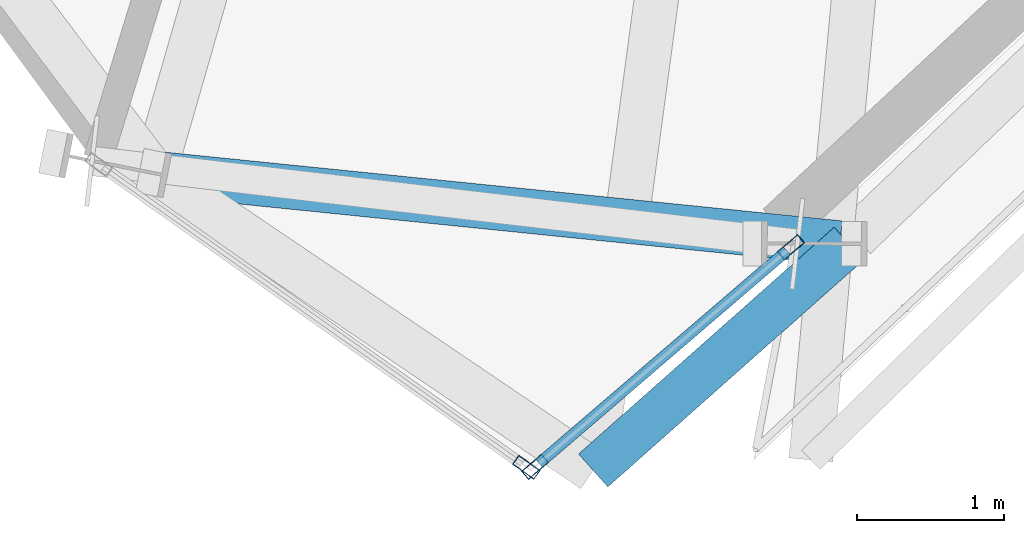
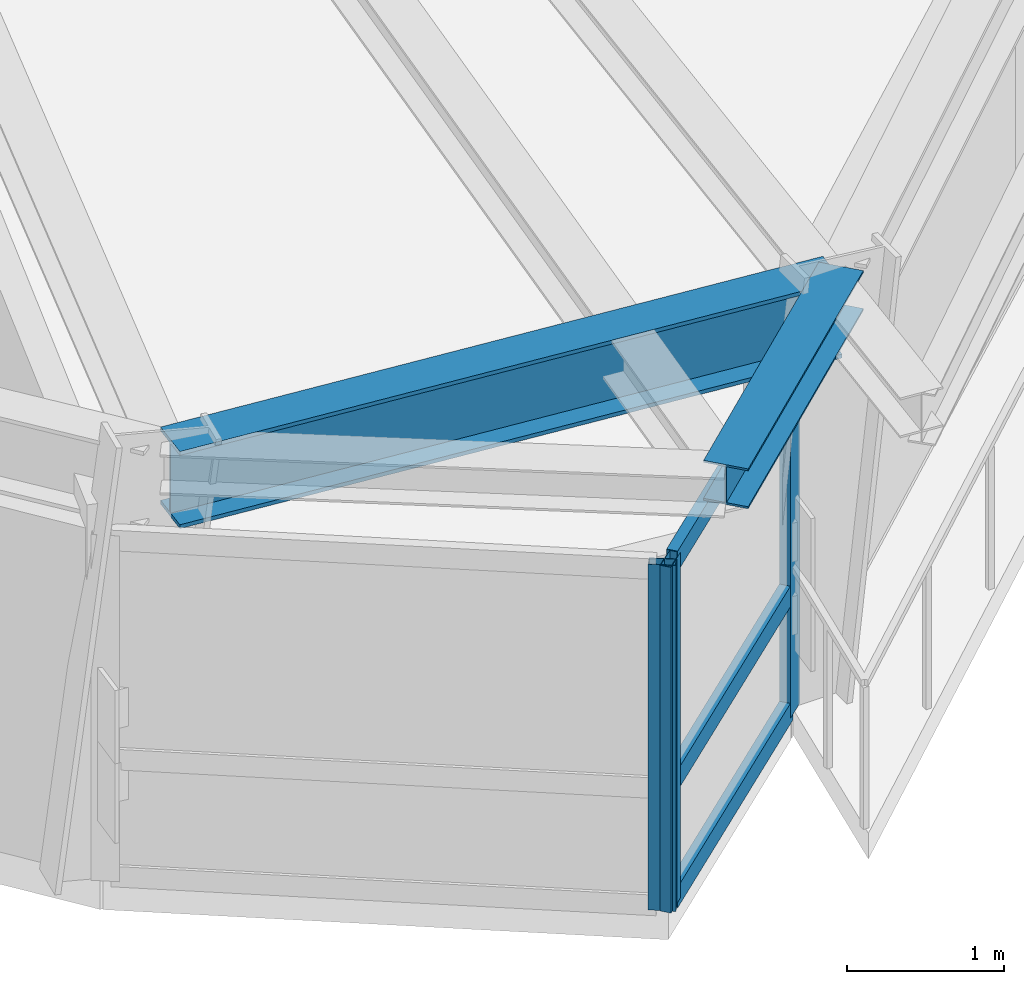
# One storey, part 4 of 15: 6 members, 2 beams, 2 elements without a shape of their own.
"""IFC4 building model written with IfcOpenShell, lengths in metres."""

from ifc_helpers import new_model, si_unit, direction, frame, origin, origin_2d, place, context, subcontext, project, spatial, hollow_rectangle, i_section, extrude, source, transform, mapped, material, material_profile, profile_set, type_object, element, aggregate, save


model = new_model("IFC4")

# Units and contexts
model_context = context("Model", 3, precision=1e-05, world=origin(), true_north=direction((0.0, 1.0)))
body_context = subcontext(model_context, "Body", "Model", "MODEL_VIEW")
ifc_project = project(units=[si_unit("LENGTHUNIT", "METRE"), si_unit("AREAUNIT", "SQUARE_METRE"), si_unit("VOLUMEUNIT", "CUBIC_METRE"), si_unit("PLANEANGLEUNIT", "RADIAN"), si_unit("MASSUNIT", "GRAM", prefix="KILO")], contexts=[model_context])

# Site, building, storey
site_placement = place(None, origin())
site = spatial("IfcSite", under=ifc_project, at=site_placement, CompositionType="ELEMENT")
building_placement = place(site_placement, origin())
building = spatial("IfcBuilding", under=site, at=building_placement, Name="Olszyna Solenne Hotel", CompositionType="ELEMENT")
storey_placement = place(building_placement, frame((0.0, 0.0, 146.60009765625)))
storey = spatial("IfcBuildingStorey", under=building, at=storey_placement, Name="L38", CompositionType="ELEMENT", Elevation=146.60009765625)

# Beams
ifc_material_1 = material(Name="Steel S355J2", Category="steel")
ifc_material_profile_1 = material_profile(ifc_material_1, i_section(OverallWidth=0.300048828125, OverallDepth=0.60009765625, WebThickness=0.015380859375, FlangeThickness=0.030029296875, at=origin_2d()), Name="HEB 600", Category="load-bearing")
ifc_profile_set_1 = profile_set([ifc_material_profile_1], Name="Steel S355J2")
beam_type_1 = type_object("IfcBeamType", Name="BM-S2", PredefinedType="BEAM", material=ifc_profile_set_1)
shared_shape_1 = source(origin(), body_context, "Body", "SweptSolid", [
    extrude(i_section(OverallWidth=0.300048828125, OverallDepth=0.60009765625, WebThickness=0.015380859375, FlangeThickness=0.030029296875, at=origin_2d()), origin(), (0.0, 0.0, 1.0), 4.63134765625),
])
beam_1_placement = place(storey_placement, frame((31.212890625, 2.81640625, 3.0), z_axis=(0.994886269191, -0.101001541449, 0.0), x_axis=(0.101001541449, 0.994886269191, 0.0)))
element("IfcBeam", 1, at=beam_1_placement, inside=storey, type_object=beam_type_1, Name="Perimeter spandrel beam BM-S2 B-L38-1134", PredefinedType="BEAM", context=body_context, shape_type="MappedRepresentation", body=[
    mapped(shared_shape_1, transform((0.0, 0.0, 0.0), x_axis=(1.0, 0.0, 0.0), y_axis=(0.0, 1.0, 0.0), z_axis=(0.0, 0.0, 1.0), scale=1.0)),
])
ifc_material_profile_2 = material_profile(ifc_material_1, i_section(OverallWidth=0.300048828125, OverallDepth=0.31005859375, WebThickness=0.009033203125, FlangeThickness=0.015380859375, at=origin_2d()), Name="HEA 320", Category="load-bearing")
ifc_profile_set_2 = profile_set([ifc_material_profile_2], Name="Steel S355J2")
beam_type_2 = type_object("IfcBeamType", Name="BM-G3", PredefinedType="BEAM", material=ifc_profile_set_2)
shared_shape_2 = source(origin(), body_context, "Body", "SweptSolid", [
    extrude(i_section(OverallWidth=0.300048828125, OverallDepth=0.31005859375, WebThickness=0.009033203125, FlangeThickness=0.015380859375, at=origin_2d()), origin(), (0.0, 0.0, 1.0), 2.32470703125),
])
beam_2_placement = place(storey_placement, frame((35.880126953125, 2.342529296875, 3.14501953125), z_axis=(-0.748162084796, -0.663516009509, 0.0), x_axis=(0.663516009509, -0.748162084796, 0.0)))
element("IfcBeam", 2, at=beam_2_placement, inside=storey, type_object=beam_type_2, Name="Prism side edge beam BM-G3 B-L38-1148", PredefinedType="BEAM", context=body_context, shape_type="MappedRepresentation", body=[
    mapped(shared_shape_2, transform((0.0, 0.0, 0.0), x_axis=(1.0, 0.0, 0.0), y_axis=(0.0, 1.0, 0.0), z_axis=(0.0, 0.0, 1.0), scale=1.0)),
])

# Curtain wall, members
ifc_material_2 = material(Name="Anodised bronze aluminium", Category="aluminium")
curtain_wall_type = type_object("IfcCurtainWallType", Name="CW-SYS-5", PredefinedType="NOTDEFINED", material=ifc_material_2)
curtain_wall_1_placement = place(storey_placement, origin())
curtain_wall_1 = element("IfcCurtainWall", 3, at=curtain_wall_1_placement, inside=storey, type_object=curtain_wall_type, Name="Unitised curtain wall CW-SYS-5 CW-L38-01", PredefinedType="NOTDEFINED")
ifc_material_profile_3 = material_profile(ifc_material_2, hollow_rectangle(XDim=0.074951171875, YDim=0.179931640625, WallThickness=0.00439453125, at=origin_2d()), Name="MULL 180x75x4.5", Category="load-bearing")
ifc_profile_set_3 = profile_set([ifc_material_profile_3], Name="Anodised bronze aluminium")
member_type_1 = type_object("IfcMemberType", Name="CW-M2", PredefinedType="MULLION", material=ifc_profile_set_3)
shared_shape_3 = source(origin(), body_context, "Body", "SweptSolid", [
    extrude(hollow_rectangle(XDim=0.074951171875, YDim=0.179931640625, WallThickness=0.00439453125, at=origin_2d()), origin(), (0.0, 0.0, 1.0), 2.69189453125),
])
member_1_placement = place(storey_placement, frame((33.7451171875, 0.824462890625, 0.0), z_axis=(0.0, 0.0, 1.0), x_axis=(-0.651152640355, 0.758946795868, 0.0)))
member_1 = element("IfcMember", 4, at=member_1_placement, type_object=member_type_1, Name="Curtain-wall mullion CW-M2 CM-L38-01-01", PredefinedType="MULLION", context=body_context, shape_type="MappedRepresentation", body=[
    mapped(shared_shape_3, transform((0.0, 0.0, 0.0), x_axis=(1.0, 0.0, 0.0), y_axis=(0.0, 1.0, 0.0), z_axis=(0.0, 0.0, 1.0), scale=1.0)),
])
member_2_placement = place(storey_placement, frame((35.487060546875, 2.319091796875, 0.0), z_axis=(0.0, 0.0, 1.0), x_axis=(-0.651152640355, 0.758946795868, 0.0)))
member_2 = element("IfcMember", 5, at=member_2_placement, type_object=member_type_1, Name="Curtain-wall mullion CW-M2 CM-L38-01-02", PredefinedType="MULLION", context=body_context, shape_type="MappedRepresentation", body=[
    mapped(shared_shape_3, transform((0.0, 0.0, 0.0), x_axis=(1.0, 0.0, 0.0), y_axis=(0.0, 1.0, 0.0), z_axis=(0.0, 0.0, 1.0), scale=1.0)),
])

# Curtain wall, member
curtain_wall_2_placement = place(storey_placement, origin())
curtain_wall_2 = element("IfcCurtainWall", 6, at=curtain_wall_2_placement, inside=storey, type_object=curtain_wall_type, Name="Unitised curtain wall CW-SYS-5 CW-L38-02", PredefinedType="NOTDEFINED")
member_3_placement = place(storey_placement, frame((33.68603515625, 0.82177734375, 0.0), z_axis=(0.0, 0.0, 1.0), x_axis=(0.577917486358, 0.816095202143, 0.0)))
member_3 = element("IfcMember", 7, at=member_3_placement, type_object=member_type_1, Name="Curtain-wall mullion CW-M2 CM-L38-02-02", PredefinedType="MULLION", context=body_context, shape_type="MappedRepresentation", body=[
    mapped(shared_shape_3, transform((0.0, 0.0, 0.0), x_axis=(1.0, 0.0, 0.0), y_axis=(0.0, 1.0, 0.0), z_axis=(0.0, 0.0, 1.0), scale=1.0)),
])
aggregate(curtain_wall_2, [member_3])

# Member
ifc_material_profile_4 = material_profile(ifc_material_2, hollow_rectangle(XDim=0.074951171875, YDim=0.159912109375, WallThickness=0.00390625, at=origin_2d()), Name="TRAN 160x75x4", Category="load-bearing")
ifc_profile_set_4 = profile_set([ifc_material_profile_4], Name="Anodised bronze aluminium")
member_type_2 = type_object("IfcMemberType", Name="CW-T1", PredefinedType="USERDEFINED", material=ifc_profile_set_4)
shared_shape_4 = source(origin(), body_context, "Body", "SweptSolid", [
    extrude(hollow_rectangle(XDim=0.074951171875, YDim=0.159912109375, WallThickness=0.00390625, at=origin_2d()), origin(), (0.0, 0.0, 1.0), 2.22021484375),
])
member_4_placement = place(storey_placement, frame((33.773681640625, 0.848876953125, 0.037353515625), z_axis=(0.758930513809, 0.651171617325, 0.0), x_axis=(-0.651171617325, 0.758930513809, 0.0)))
member_4 = element("IfcMember", 8, at=member_4_placement, type_object=member_type_2, Name="Curtain-wall transom CW-T1 CT-L38-01-01", ObjectType="TRANSOM", PredefinedType="USERDEFINED", context=body_context, shape_type="MappedRepresentation", body=[
    mapped(shared_shape_4, transform((0.0, 0.0, 0.0), x_axis=(1.0, 0.0, 0.0), y_axis=(0.0, 1.0, 0.0), z_axis=(0.0, 0.0, 1.0), scale=1.0)),
])

member_5_placement = place(storey_placement, frame((33.773681640625, 0.848876953125, 0.949951171875), z_axis=(0.758930513809, 0.651171617325, 0.0), x_axis=(-0.651171617325, 0.758930513809, 0.0)))
member_5 = element("IfcMember", 9, at=member_5_placement, type_object=member_type_2, Name="Curtain-wall transom CW-T1 CT-L38-01-02", ObjectType="TRANSOM", PredefinedType="USERDEFINED", context=body_context, shape_type="MappedRepresentation", body=[
    mapped(shared_shape_4, transform((0.0, 0.0, 0.0), x_axis=(1.0, 0.0, 0.0), y_axis=(0.0, 1.0, 0.0), z_axis=(0.0, 0.0, 1.0), scale=1.0)),
])

member_6_placement = place(storey_placement, frame((33.773681640625, 0.848876953125, 2.654296875), z_axis=(0.758930513809, 0.651171617325, 0.0), x_axis=(-0.651171617325, 0.758930513809, 0.0)))
member_6 = element("IfcMember", 10, at=member_6_placement, type_object=member_type_2, Name="Curtain-wall transom CW-T1 CT-L38-01-03", ObjectType="TRANSOM", PredefinedType="USERDEFINED", context=body_context, shape_type="MappedRepresentation", body=[
    mapped(shared_shape_4, transform((0.0, 0.0, 0.0), x_axis=(1.0, 0.0, 0.0), y_axis=(0.0, 1.0, 0.0), z_axis=(0.0, 0.0, 1.0), scale=1.0)),
])

aggregate(curtain_wall_1, [member_1, member_2, member_4, member_5, member_6])

save(model, "model.ifc")
